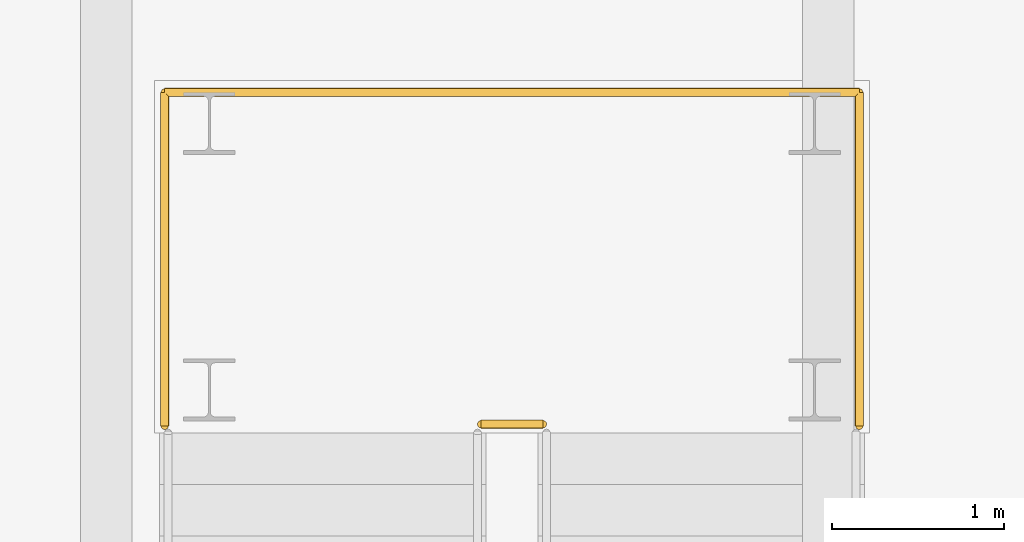
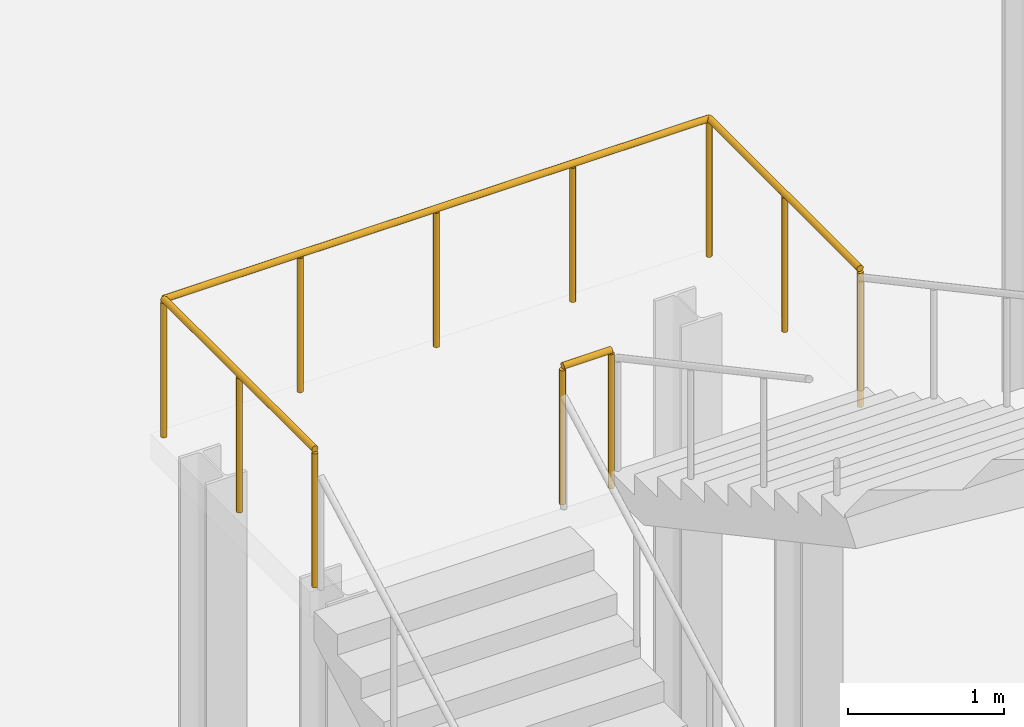
# One storey, part 125 of 131: 2 railings.
"""IFC4 building model written with IfcOpenShell, lengths in metres."""

from ifc_helpers import new_model, si_unit, direction, frame, origin, origin_2d, place, context, subcontext, project, spatial, circle, extrude, material, type_object, element, save


model = new_model("IFC4")

# Units and contexts
model_context = context("Model", 3, precision=1e-05, world=origin(), true_north=direction((0.0, 1.0)))
body_context = subcontext(model_context, "Body", "Model", "MODEL_VIEW")
ifc_project = project(units=[si_unit("LENGTHUNIT", "METRE"), si_unit("AREAUNIT", "SQUARE_METRE"), si_unit("VOLUMEUNIT", "CUBIC_METRE"), si_unit("PLANEANGLEUNIT", "RADIAN"), si_unit("MASSUNIT", "GRAM", prefix="KILO")], contexts=[model_context])

# Site, building, storey
site_placement = place(None, origin())
site = spatial("IfcSite", under=ifc_project, at=site_placement, CompositionType="ELEMENT")
building_placement = place(site_placement, origin())
building = spatial("IfcBuilding", under=site, at=building_placement, Name="Veltarok Museum of Natural Sciences", CompositionType="ELEMENT")
storey_placement = place(building_placement, origin())
storey = spatial("IfcBuildingStorey", under=building, at=storey_placement, Name="L00", CompositionType="ELEMENT", Elevation=0.0)

# Railings
ifc_material = material(Name="Steel S355J2", Category="steel")
railing_type = type_object("IfcRailingType", Name="Interior Atrium and Stairwell Guardrail 1100", PredefinedType="GUARDRAIL", material=ifc_material)
railing_1_placement = place(storey_placement, frame((57.139892578125, 55.52001953125, 4.199951171875)))
element("IfcRailing", 1, at=railing_1_placement, inside=storey, type_object=railing_type, Name="Atrium Feature Stair Mid-Landing Guardrail", PredefinedType="GUARDRAIL", context=body_context, shape_type="SweptSolid", body=[
    extrude(circle(Radius=0.02392578125, at=origin_2d()), frame((0.0, 0.0, 1.076171875), z_axis=(0.0, 1.0, 0.0), x_axis=(-1.0, 0.0, 0.0)), (0.0, 0.0, 1.0), 1.93994140625),
    extrude(circle(Radius=0.02392578125, at=origin_2d()), frame((0.0, 1.93994140625, 1.076171875), z_axis=(1.0, 0.0, 0.0), x_axis=(0.0, 1.0, 0.0)), (0.0, 0.0, 1.0), 4.0400390625),
    extrude(circle(Radius=0.02392578125, at=origin_2d()), frame((4.0400390625, 1.93994140625, 1.076171875), z_axis=(0.0, -1.0, 0.0), x_axis=(1.0, 0.0, 0.0)), (0.0, 0.0, 1.0), 1.93994140625),
    extrude(circle(Radius=0.02099609375, at=origin_2d()), origin(), (0.0, 0.0, 1.0), 1.052001953125),
    extrude(circle(Radius=0.02099609375, at=origin_2d()), frame((0.0, 0.969970703125, 0.0)), (0.0, 0.0, 1.0), 1.052001953125),
    extrude(circle(Radius=0.02099609375, at=origin_2d()), frame((0.0, 1.93994140625, 0.0)), (0.0, 0.0, 1.0), 1.052001953125),
    extrude(circle(Radius=0.02099609375, at=origin_2d()), frame((1.010009765625, 1.93994140625, 0.0)), (0.0, 0.0, 1.0), 1.052001953125),
    extrude(circle(Radius=0.02099609375, at=origin_2d()), frame((2.02001953125, 1.93994140625, 0.0)), (0.0, 0.0, 1.0), 1.052001953125),
    extrude(circle(Radius=0.02099609375, at=origin_2d()), frame((3.030029296875, 1.93994140625, 0.0)), (0.0, 0.0, 1.0), 1.052001953125),
    extrude(circle(Radius=0.02099609375, at=origin_2d()), frame((4.0400390625, 1.93994140625, 0.0)), (0.0, 0.0, 1.0), 1.052001953125),
    extrude(circle(Radius=0.02099609375, at=origin_2d()), frame((4.0400390625, 0.969970703125, 0.0)), (0.0, 0.0, 1.0), 1.052001953125),
    extrude(circle(Radius=0.02099609375, at=origin_2d()), frame((4.0400390625, 0.0, 0.0)), (0.0, 0.0, 1.0), 1.052001953125),
])
railing_2_placement = place(storey_placement, frame((58.97998046875, 55.530029296875, 4.199951171875)))
element("IfcRailing", 2, at=railing_2_placement, inside=storey, type_object=railing_type, Name="Atrium Feature Stair Well Slot Guardrail", PredefinedType="GUARDRAIL", context=body_context, shape_type="SweptSolid", body=[
    extrude(circle(Radius=0.02392578125, at=origin_2d()), frame((0.0, 0.0, 1.076171875), z_axis=(1.0, 0.0, 0.0), x_axis=(0.0, 1.0, 0.0)), (0.0, 0.0, 1.0), 0.360107421875),
    extrude(circle(Radius=0.02099609375, at=origin_2d()), origin(), (0.0, 0.0, 1.0), 1.052001953125),
    extrude(circle(Radius=0.02099609375, at=origin_2d()), frame((0.360107421875, 0.0, 0.0)), (0.0, 0.0, 1.0), 1.052001953125),
])

save(model, "model.ifc")
